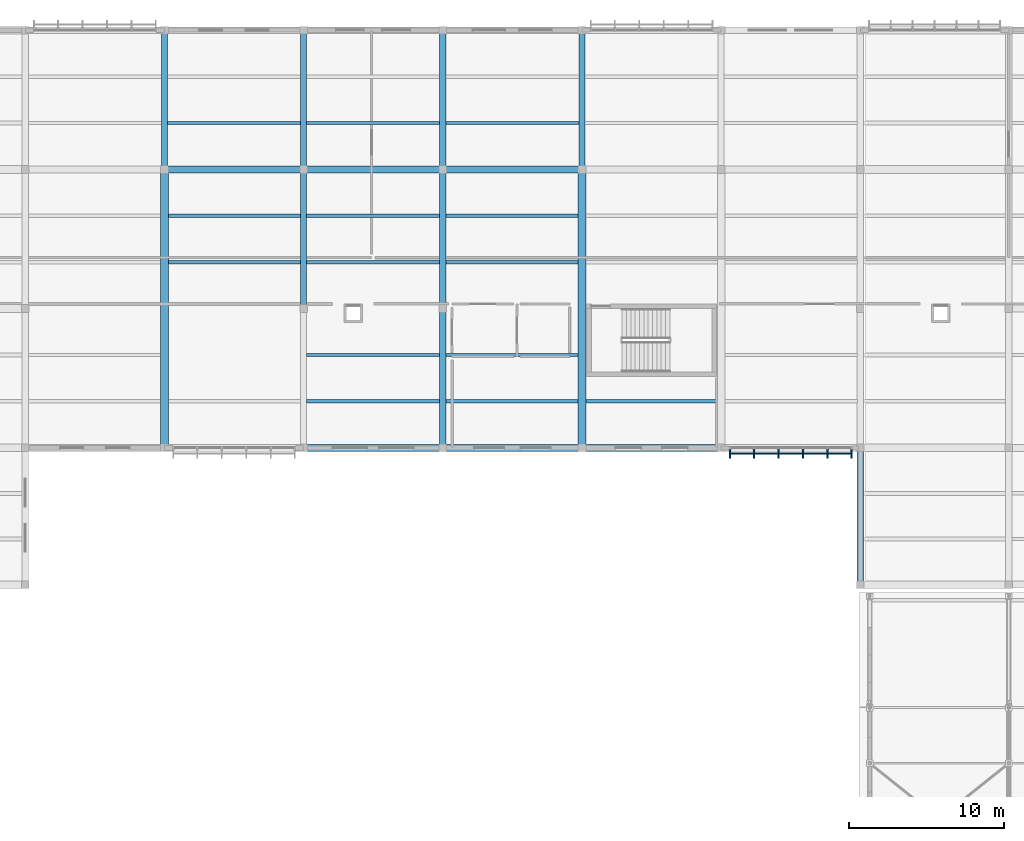
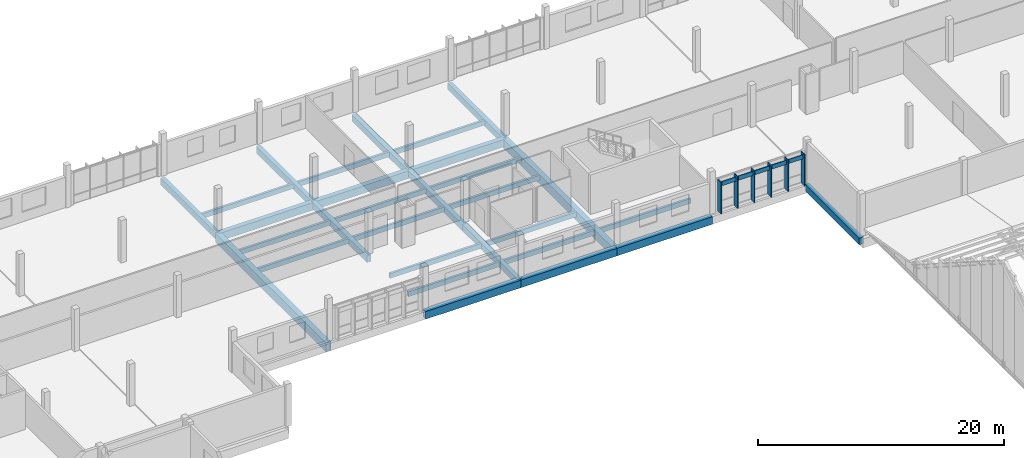
# One storey, part 86 of 182: 30 beams, 7 members, 1 element without a shape of its own.
"""IFC4 building model written with IfcOpenShell, lengths in metres."""

from ifc_helpers import new_model, si_unit, direction, frame, origin, origin_2d, place, context, subcontext, project, spatial, rectangle, extrude, material, material_profile, profile_set, type_object, element, aggregate, save


model = new_model("IFC4")

# Units and contexts
model_context = context("Model", 3, precision=1e-05, world=origin(), true_north=direction((0.0, 1.0)))
body_context = subcontext(model_context, "Body", "Model", "MODEL_VIEW")
ifc_project = project(units=[si_unit("LENGTHUNIT", "METRE"), si_unit("AREAUNIT", "SQUARE_METRE"), si_unit("VOLUMEUNIT", "CUBIC_METRE"), si_unit("PLANEANGLEUNIT", "RADIAN"), si_unit("MASSUNIT", "GRAM", prefix="KILO")], contexts=[model_context])

# Site, building, storey
site_placement = place(None, origin())
site = spatial("IfcSite", under=ifc_project, at=site_placement, CompositionType="ELEMENT")
building_placement = place(site_placement, origin())
building = spatial("IfcBuilding", under=site, at=building_placement, Name="Chiffa Square Polytechnic", CompositionType="ELEMENT")
storey_placement = place(building_placement, frame((0.0, 0.0, 9.60009765625)))
storey = spatial("IfcBuildingStorey", under=building, at=storey_placement, Name="L02", CompositionType="ELEMENT", Elevation=9.60009765625)

# Beams
ifc_material_1 = material(Name="Concrete C35/45", Category="concrete")
ifc_material_profile_1 = material_profile(ifc_material_1, rectangle(XDim=0.39990234375, YDim=0.64990234375, at=origin_2d()), Name="RC 400x650")
ifc_profile_set_1 = profile_set([ifc_material_profile_1], Name="Concrete C35/45")
beam_type_1 = type_object("IfcBeamType", Name="BM-RC-400X650", PredefinedType="BEAM", material=ifc_profile_set_1)
for number, where, z_axis, x_axis, name in (
    (1, (66.60009765625, 121.800048828125, -0.64501953125), (0.0, 1.0, 0.0), (-1.0, 0.0, 0.0), "Primary floor girder BM-V5-L02-Y-0666-1218"),
    (2, (75.60009765625, 112.800048828125, -0.64501953125), (0.0, 1.0, 0.0), (-1.0, 0.0, 0.0), "Primary floor girder BM-V5-L02-Y-0756-1128"),
    (3, (75.60009765625, 121.800048828125, -0.64501953125), (0.0, 1.0, 0.0), (-1.0, 0.0, 0.0), "Primary floor girder BM-V5-L02-Y-0756-1218"),
    (4, (84.60009765625, 103.800048828125, -0.64501953125), (0.0, 1.0, 0.0), (-1.0, 0.0, 0.0), "Primary floor girder BM-V5-L02-Y-0846-1038"),
    (5, (84.60009765625, 112.800048828125, -0.64501953125), (0.0, 1.0, 0.0), (-1.0, 0.0, 0.0), "Primary floor girder BM-V5-L02-Y-0846-1128"),
    (6, (84.60009765625, 121.800048828125, -0.64501953125), (0.0, 1.0, 0.0), (-1.0, 0.0, 0.0), "Primary floor girder BM-V5-L02-Y-0846-1218"),
    (7, (93.60009765625, 121.800048828125, -0.64501953125), (0.0, 1.0, 0.0), (-1.0, 0.0, 0.0), "Primary floor girder BM-V5-L02-Y-0936-1218"),
):
    element("IfcBeam", number, at=place(storey_placement, frame(where, z_axis=z_axis, x_axis=x_axis)), inside=storey, type_object=beam_type_1, Name=name, PredefinedType="BEAM", context=body_context, shape_type="SweptSolid", body=[
        extrude(rectangle(XDim=0.39990234375, YDim=0.64990234375, at=origin_2d()), origin(), (0.0, 0.0, 1.0), 9.0),
    ])
beam_1_placement = place(storey_placement, frame((111.60009765625, 94.949951171875, -0.64501953125), z_axis=(0.0, 1.0, 0.0), x_axis=(-1.0, 0.0, 0.0)))
element("IfcBeam", 8, at=beam_1_placement, inside=storey, type_object=beam_type_1, Name="Primary floor girder BM-V5-L02-Y-1116-0950", PredefinedType="BEAM", context=body_context, shape_type="SweptSolid", body=[
    extrude(rectangle(XDim=0.39990234375, YDim=0.64990234375, at=origin_2d()), origin(), (0.0, 0.0, 1.0), 8.85009765625),
])
ifc_material_profile_2 = material_profile(ifc_material_1, rectangle(XDim=0.449951171875, YDim=0.75, at=origin_2d()), Name="RC 450x750")
ifc_profile_set_2 = profile_set([ifc_material_profile_2], Name="Concrete C35/45")
beam_type_2 = type_object("IfcBeamType", Name="BM-RC-450X750", PredefinedType="BEAM", material=ifc_profile_set_2)
for number, where, z_axis, x_axis, name in (
    (9, (75.60009765625, 103.800048828125, -0.695068359375), (1.0, 0.0, 0.0), (0.0, 1.0, 0.0), "Primary floor girder BM-V5-L02-X-0756-1038"),
    (10, (84.60009765625, 103.800048828125, -0.695068359375), (1.0, 0.0, 0.0), (0.0, 1.0, 0.0), "Primary floor girder BM-V5-L02-X-0846-1038"),
    (11, (93.60009765625, 103.800048828125, -0.695068359375), (1.0, 0.0, 0.0), (0.0, 1.0, 0.0), "Primary floor girder BM-V5-L02-X-0936-1038"),
    (12, (66.60009765625, 121.800048828125, -0.695068359375), (1.0, 0.0, 0.0), (0.0, 1.0, 0.0), "Primary floor girder BM-V5-L02-X-0666-1218"),
    (13, (75.60009765625, 121.800048828125, -0.695068359375), (1.0, 0.0, 0.0), (0.0, 1.0, 0.0), "Primary floor girder BM-V5-L02-X-0756-1218"),
    (14, (84.60009765625, 121.800048828125, -0.695068359375), (1.0, 0.0, 0.0), (0.0, 1.0, 0.0), "Primary floor girder BM-V5-L02-X-0846-1218"),
):
    element("IfcBeam", number, at=place(storey_placement, frame(where, z_axis=z_axis, x_axis=x_axis)), inside=storey, type_object=beam_type_2, Name=name, PredefinedType="BEAM", context=body_context, shape_type="SweptSolid", body=[
        extrude(rectangle(XDim=0.449951171875, YDim=0.75, at=origin_2d()), origin(), (0.0, 0.0, 1.0), 9.0),
    ])
ifc_material_2 = material(Name="Concrete C40/50", Category="concrete")
ifc_material_profile_3 = material_profile(ifc_material_2, rectangle(XDim=0.5, YDim=0.89990234375, at=origin_2d()), Name="RC 500x900")
ifc_profile_set_3 = profile_set([ifc_material_profile_3], Name="Concrete C40/50")
beam_type_3 = type_object("IfcBeamType", Name="BM-RC-500X900", PredefinedType="BEAM", material=ifc_profile_set_3)
for number, where, z_axis, x_axis, name in (
    (15, (66.60009765625, 103.800048828125, -0.77001953125), (0.0, 1.0, 0.0), (-1.0, 0.0, 0.0), "Primary floor girder BM-V5-L02-Y-0666-1038"),
    (16, (93.60009765625, 103.800048828125, -0.77001953125), (0.0, 1.0, 0.0), (-1.0, 0.0, 0.0), "Primary floor girder BM-V5-L02-Y-0936-1038"),
):
    element("IfcBeam", number, at=place(storey_placement, frame(where, z_axis=z_axis, x_axis=x_axis)), inside=storey, type_object=beam_type_3, Name=name, PredefinedType="BEAM", context=body_context, shape_type="SweptSolid", body=[
        extrude(rectangle(XDim=0.5, YDim=0.89990234375, at=origin_2d()), origin(), (0.0, 0.0, 1.0), 18.0),
    ])

# Curtain wall, members
ifc_material_3 = material(Name="Aluminium EN AW-6060 T66 and glulam shading", Category="wood")
curtain_wall_type = type_object("IfcCurtainWallType", Name="CW-VERT-480X380", PredefinedType="USERDEFINED", material=ifc_material_3)
curtain_wall_placement = place(storey_placement, origin())
curtain_wall = element("IfcCurtainWall", 17, at=curtain_wall_placement, inside=storey, type_object=curtain_wall_type, Name="Curtain wall CW-V5-L02-214", ObjectType="CURTAIN WALL", PredefinedType="USERDEFINED")
ifc_material_4 = material(Name="Glulam GL28h", Category="wood")
ifc_material_profile_4 = material_profile(ifc_material_4, rectangle(XDim=0.080078125, YDim=0.580078125, at=origin_2d()), Name="GL28h 80x580")
ifc_profile_set_4 = profile_set([ifc_material_profile_4], Name="Glulam GL28h")
member_type_1 = type_object("IfcMemberType", Name="CWM-GL-80X580", PredefinedType="MULLION", material=ifc_profile_set_4)
member_1_placement = place(storey_placement, frame((103.1650390625, 103.427978515625, 0.010009765625), z_axis=(0.0, 0.0, 1.0), x_axis=(1.0, 0.0, 0.0)))
member_1 = element("IfcMember", 18, at=member_1_placement, type_object=member_type_1, Name="Exterior glulam solar fin CW-V5-L02-214-FN00", PredefinedType="MULLION", context=body_context, shape_type="SweptSolid", body=[
    extrude(rectangle(XDim=0.080078125, YDim=0.580078125, at=origin_2d()), origin(), (0.0, 0.0, 1.0), 3.15478515625),
])
member_2_placement = place(storey_placement, frame((104.72412109375, 103.427978515625, 0.010009765625), z_axis=(0.0, 0.0, 1.0), x_axis=(1.0, 0.0, 0.0)))
member_2 = element("IfcMember", 19, at=member_2_placement, type_object=member_type_1, Name="Exterior glulam solar fin CW-V5-L02-214-FN01", PredefinedType="MULLION", context=body_context, shape_type="SweptSolid", body=[
    extrude(rectangle(XDim=0.080078125, YDim=0.580078125, at=origin_2d()), origin(), (0.0, 0.0, 1.0), 3.15478515625),
])
member_3_placement = place(storey_placement, frame((106.30810546875, 103.427978515625, 0.010009765625), z_axis=(0.0, 0.0, 1.0), x_axis=(1.0, 0.0, 0.0)))
member_3 = element("IfcMember", 20, at=member_3_placement, type_object=member_type_1, Name="Exterior glulam solar fin CW-V5-L02-214-FN02", PredefinedType="MULLION", context=body_context, shape_type="SweptSolid", body=[
    extrude(rectangle(XDim=0.080078125, YDim=0.580078125, at=origin_2d()), origin(), (0.0, 0.0, 1.0), 3.15478515625),
])
member_4_placement = place(storey_placement, frame((107.89208984375, 103.427978515625, 0.010009765625), z_axis=(0.0, 0.0, 1.0), x_axis=(1.0, 0.0, 0.0)))
member_4 = element("IfcMember", 21, at=member_4_placement, type_object=member_type_1, Name="Exterior glulam solar fin CW-V5-L02-214-FN03", PredefinedType="MULLION", context=body_context, shape_type="SweptSolid", body=[
    extrude(rectangle(XDim=0.080078125, YDim=0.580078125, at=origin_2d()), origin(), (0.0, 0.0, 1.0), 3.15478515625),
])
member_5_placement = place(storey_placement, frame((109.47607421875, 103.427978515625, 0.010009765625), z_axis=(0.0, 0.0, 1.0), x_axis=(1.0, 0.0, 0.0)))
member_5 = element("IfcMember", 22, at=member_5_placement, type_object=member_type_1, Name="Exterior glulam solar fin CW-V5-L02-214-FN04", PredefinedType="MULLION", context=body_context, shape_type="SweptSolid", body=[
    extrude(rectangle(XDim=0.080078125, YDim=0.580078125, at=origin_2d()), origin(), (0.0, 0.0, 1.0), 3.15478515625),
])
member_6_placement = place(storey_placement, frame((111.034912109375, 103.427978515625, 0.010009765625), z_axis=(0.0, 0.0, 1.0), x_axis=(1.0, 0.0, 0.0)))
member_6 = element("IfcMember", 23, at=member_6_placement, type_object=member_type_1, Name="Exterior glulam solar fin CW-V5-L02-214-FN05", PredefinedType="MULLION", context=body_context, shape_type="SweptSolid", body=[
    extrude(rectangle(XDim=0.080078125, YDim=0.580078125, at=origin_2d()), origin(), (0.0, 0.0, 1.0), 3.15478515625),
])
ifc_material_profile_5 = material_profile(ifc_material_4, rectangle(XDim=0.070068359375, YDim=0.419921875, at=origin_2d()), Name="GL28h 70x420")
ifc_profile_set_5 = profile_set([ifc_material_profile_5], Name="Glulam GL28h")
member_type_2 = type_object("IfcMemberType", Name="CWT-GL-70X420", PredefinedType="USERDEFINED", material=ifc_profile_set_5)
member_7_placement = place(storey_placement, frame((103.1650390625, 103.427978515625, 2.794921875), z_axis=(1.0, 0.0, 0.0), x_axis=(0.0, 1.0, 0.0)))
member_7 = element("IfcMember", 24, at=member_7_placement, type_object=member_type_2, Name="Exterior glulam brise-soleil CW-V5-L02-214-BS01", ObjectType="TRANSOM", PredefinedType="USERDEFINED", context=body_context, shape_type="SweptSolid", body=[
    extrude(rectangle(XDim=0.070068359375, YDim=0.419921875, at=origin_2d()), origin(), (0.0, 0.0, 1.0), 7.869873046875),
])
aggregate(curtain_wall, [member_1, member_2, member_3, member_4, member_5, member_6, member_7])

# Beams
ifc_material_profile_6 = material_profile(ifc_material_4, rectangle(XDim=0.219970703125, YDim=0.47998046875, at=origin_2d()), Name="GL28h 220x480")
ifc_profile_set_6 = profile_set([ifc_material_profile_6], Name="Glulam GL28h")
beam_type_4 = type_object("IfcBeamType", Name="JST-GL-220X480", PredefinedType="JOIST", material=ifc_profile_set_6)
for number, where, z_axis, x_axis, name in (
    (25, (66.847900390625, 115.800048828125, -0.56005859375), (1.0, 0.0, 0.0), (0.0, 1.0, 0.0), "Secondary floor joist JST-V5-L02-0666-1158"),
    (26, (66.847900390625, 118.800048828125, -0.56005859375), (1.0, 0.0, 0.0), (0.0, 1.0, 0.0), "Secondary floor joist JST-V5-L02-0666-1188"),
):
    element("IfcBeam", number, at=place(storey_placement, frame(where, z_axis=z_axis, x_axis=x_axis)), inside=storey, type_object=beam_type_4, Name=name, PredefinedType="JOIST", context=body_context, shape_type="SweptSolid", body=[
        extrude(rectangle(XDim=0.219970703125, YDim=0.47998046875, at=origin_2d()), origin(), (0.0, 0.0, 1.0), 8.55419921875),
    ])
for number, where, z_axis, x_axis, name in (
    (27, (66.798095703125, 124.800048828125, -0.56005859375), (1.0, 0.0, 0.0), (0.0, 1.0, 0.0), "Secondary floor joist JST-V5-L02-0666-1248"),
    (28, (75.798095703125, 106.800048828125, -0.56005859375), (1.0, 0.0, 0.0), (0.0, 1.0, 0.0), "Secondary floor joist JST-V5-L02-0756-1068"),
    (29, (75.798095703125, 109.800048828125, -0.56005859375), (1.0, 0.0, 0.0), (0.0, 1.0, 0.0), "Secondary floor joist JST-V5-L02-0756-1098"),
    (30, (75.798095703125, 115.800048828125, -0.56005859375), (1.0, 0.0, 0.0), (0.0, 1.0, 0.0), "Secondary floor joist JST-V5-L02-0756-1158"),
    (31, (75.798095703125, 118.800048828125, -0.56005859375), (1.0, 0.0, 0.0), (0.0, 1.0, 0.0), "Secondary floor joist JST-V5-L02-0756-1188"),
    (32, (75.798095703125, 124.800048828125, -0.56005859375), (1.0, 0.0, 0.0), (0.0, 1.0, 0.0), "Secondary floor joist JST-V5-L02-0756-1248"),
):
    element("IfcBeam", number, at=place(storey_placement, frame(where, z_axis=z_axis, x_axis=x_axis)), inside=storey, type_object=beam_type_4, Name=name, PredefinedType="JOIST", context=body_context, shape_type="SweptSolid", body=[
        extrude(rectangle(XDim=0.219970703125, YDim=0.47998046875, at=origin_2d()), origin(), (0.0, 0.0, 1.0), 8.60400390625),
    ])
for number, where, z_axis, x_axis, name in (
    (33, (84.798095703125, 106.800048828125, -0.56005859375), (1.0, 0.0, 0.0), (0.0, 1.0, 0.0), "Secondary floor joist JST-V5-L02-0846-1068"),
    (34, (84.798095703125, 109.800048828125, -0.56005859375), (1.0, 0.0, 0.0), (0.0, 1.0, 0.0), "Secondary floor joist JST-V5-L02-0846-1098"),
    (35, (84.798095703125, 115.800048828125, -0.56005859375), (1.0, 0.0, 0.0), (0.0, 1.0, 0.0), "Secondary floor joist JST-V5-L02-0846-1158"),
    (36, (84.798095703125, 118.800048828125, -0.56005859375), (1.0, 0.0, 0.0), (0.0, 1.0, 0.0), "Secondary floor joist JST-V5-L02-0846-1188"),
):
    element("IfcBeam", number, at=place(storey_placement, frame(where, z_axis=z_axis, x_axis=x_axis)), inside=storey, type_object=beam_type_4, Name=name, PredefinedType="JOIST", context=body_context, shape_type="SweptSolid", body=[
        extrude(rectangle(XDim=0.219970703125, YDim=0.47998046875, at=origin_2d()), origin(), (0.0, 0.0, 1.0), 8.553955078125),
    ])
beam_2_placement = place(storey_placement, frame((84.798095703125, 124.800048828125, -0.56005859375), z_axis=(1.0, 0.0, 0.0), x_axis=(0.0, 1.0, 0.0)))
element("IfcBeam", 37, at=beam_2_placement, inside=storey, type_object=beam_type_4, Name="Secondary floor joist JST-V5-L02-0846-1248", PredefinedType="JOIST", context=body_context, shape_type="SweptSolid", body=[
    extrude(rectangle(XDim=0.219970703125, YDim=0.47998046875, at=origin_2d()), origin(), (0.0, 0.0, 1.0), 8.60400390625),
])
beam_3_placement = place(storey_placement, frame((93.847900390625, 106.800048828125, -0.56005859375), z_axis=(1.0, 0.0, 0.0), x_axis=(0.0, 1.0, 0.0)))
element("IfcBeam", 38, at=beam_3_placement, inside=storey, type_object=beam_type_4, Name="Secondary floor joist JST-V5-L02-0936-1068", PredefinedType="JOIST", context=body_context, shape_type="SweptSolid", body=[
    extrude(rectangle(XDim=0.219970703125, YDim=0.47998046875, at=origin_2d()), origin(), (0.0, 0.0, 1.0), 8.504150390625),
])

save(model, "model.ifc")
